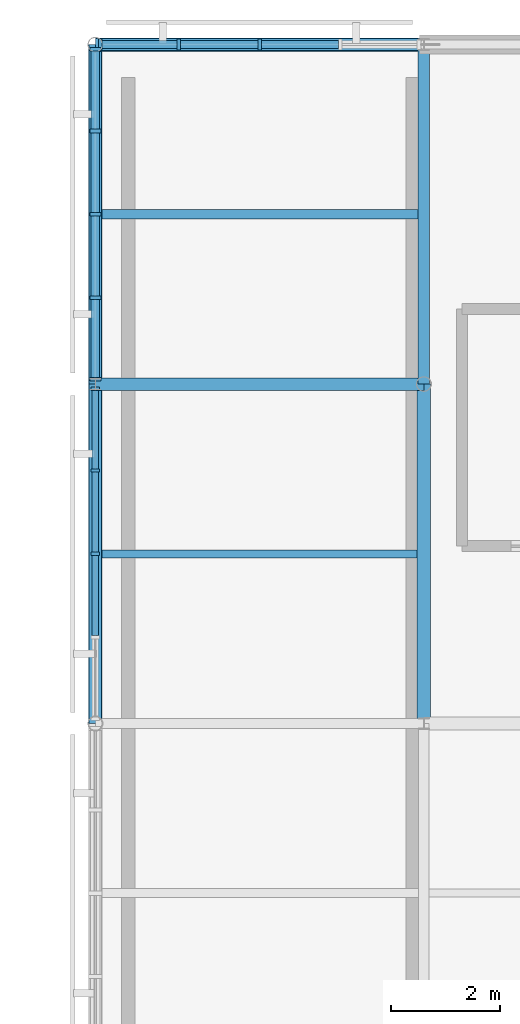
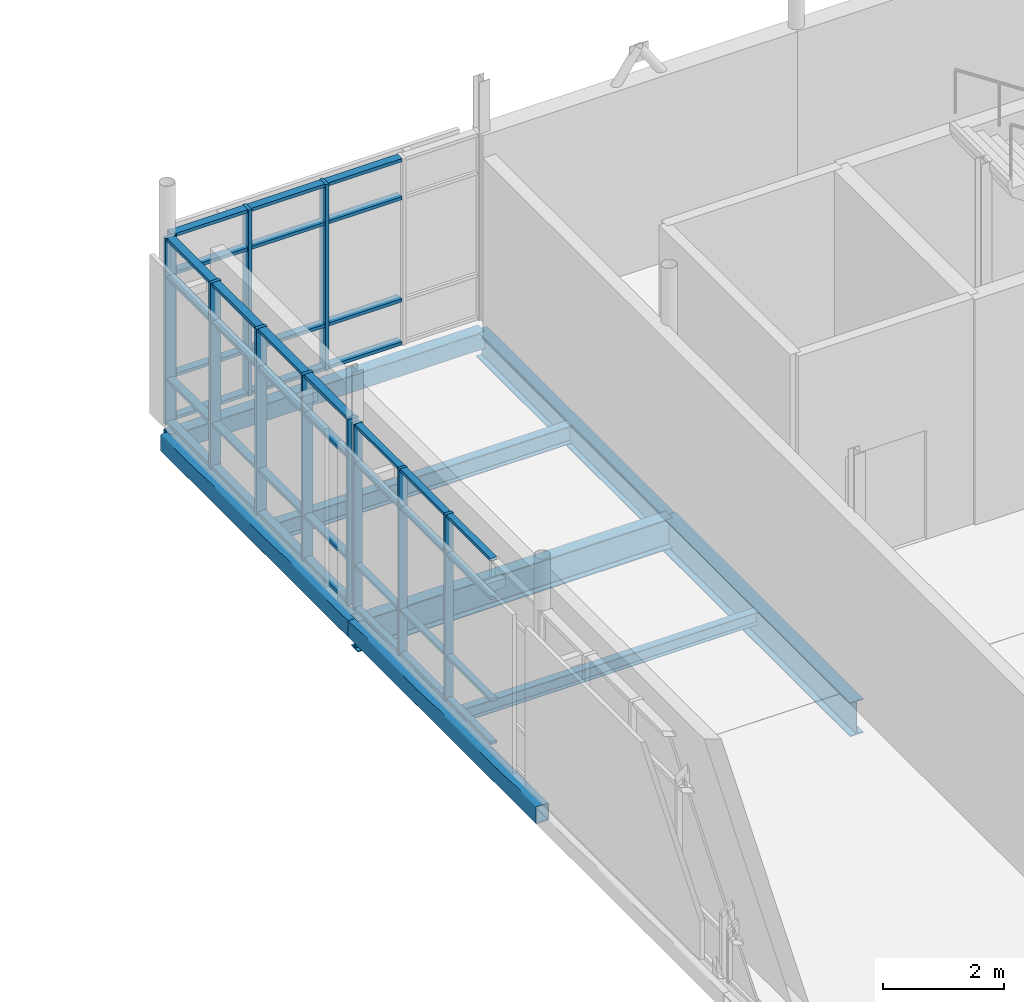
# One storey, part 33 of 48: 51 members, 8 beams, 3 elements without a shape of their own.
"""IFC4 building model written with IfcOpenShell, lengths in metres."""

from ifc_helpers import new_model, si_unit, direction, frame, origin, origin_2d, place, context, subcontext, project, spatial, rectangle, hollow_rectangle, i_section, extrude, material, layer, layer_set, material_profile, profile_set, type_object, element, aggregate, save


model = new_model("IFC4")

# Units and contexts
model_context = context("Model", 3, precision=1e-05, world=origin(), true_north=direction((0.0, 1.0)))
body_context = subcontext(model_context, "Body", "Model", "MODEL_VIEW")
ifc_project = project(units=[si_unit("LENGTHUNIT", "METRE"), si_unit("AREAUNIT", "SQUARE_METRE"), si_unit("VOLUMEUNIT", "CUBIC_METRE"), si_unit("PLANEANGLEUNIT", "RADIAN"), si_unit("MASSUNIT", "GRAM", prefix="KILO")], contexts=[model_context])

# Site, building, storey
site_placement = place(None, origin())
site = spatial("IfcSite", under=ifc_project, at=site_placement, CompositionType="ELEMENT")
building_placement = place(site_placement, origin())
building = spatial("IfcBuilding", under=site, at=building_placement, Name="Mirzam Square Science Centre", CompositionType="ELEMENT")
storey_placement = place(building_placement, frame((0.0, 0.0, 20.39990234375)))
storey = spatial("IfcBuildingStorey", under=building, at=storey_placement, Name="L04", CompositionType="ELEMENT", Elevation=20.39990234375)

# Beams
ifc_material_1 = material(Name="Steel S355", Category="steel")
ifc_material_profile_1 = material_profile(ifc_material_1, i_section(OverallWidth=0.2099609375, OverallDepth=0.53662109375, WebThickness=0.0107421875, FlangeThickness=0.017333984375, FilletRadius=0.0126953125, at=origin_2d()), Name="533x210x101UB")
ifc_profile_set_1 = profile_set([ifc_material_profile_1], Name="Steel S355")
beam_type_1 = type_object("IfcBeamType", Name="BM-UB533", PredefinedType="BEAM", material=ifc_profile_set_1)
beam_1_placement = place(storey_placement, frame((120.0, 105.39990234375, -0.518310546875), z_axis=(0.0, 1.0, 0.0), x_axis=(-1.0, 0.0, 0.0)))
element("IfcBeam", 1, at=beam_1_placement, inside=storey, type_object=beam_type_1, Name="L04 girder Y21-18", PredefinedType="BEAM", context=body_context, shape_type="SweptSolid", body=[
    extrude(i_section(OverallWidth=0.2099609375, OverallDepth=0.53662109375, WebThickness=0.0107421875, FlangeThickness=0.017333984375, FilletRadius=0.0126953125, at=origin_2d()), origin(), (0.0, 0.0, 1.0), 6.2001953125),
])
ifc_material_profile_2 = material_profile(ifc_material_1, i_section(OverallWidth=0.22900390625, OverallDepth=0.6123046875, WebThickness=0.011962890625, FlangeThickness=0.01953125, FilletRadius=0.0126953125, at=origin_2d()), Name="610x229x125UB")
ifc_profile_set_2 = profile_set([ifc_material_profile_2], Name="Steel S355")
beam_type_2 = type_object("IfcBeamType", Name="BM-UB610", PredefinedType="BEAM", material=ifc_profile_set_2)
beam_2_placement = place(storey_placement, frame((114.0, 105.39990234375, -0.555908203125), z_axis=(1.0, 0.0, 0.0), x_axis=(0.0, 1.0, 0.0)))
element("IfcBeam", 2, at=beam_2_placement, inside=storey, type_object=beam_type_2, Name="L04 girder X20-18", PredefinedType="BEAM", context=body_context, shape_type="SweptSolid", body=[
    extrude(i_section(OverallWidth=0.22900390625, OverallDepth=0.6123046875, WebThickness=0.011962890625, FlangeThickness=0.01953125, FilletRadius=0.0126953125, at=origin_2d()), origin(), (0.0, 0.0, 1.0), 6.0),
])
ifc_material_profile_3 = material_profile(ifc_material_1, i_section(OverallWidth=0.25439453125, OverallDepth=0.6875, WebThickness=0.01318359375, FlangeThickness=0.02099609375, FilletRadius=0.01513671875, at=origin_2d()), Name="686x254x152UB")
ifc_profile_set_3 = profile_set([ifc_material_profile_3], Name="Steel S355")
beam_type_3 = type_object("IfcBeamType", Name="BM-UB686", PredefinedType="BEAM", material=ifc_profile_set_3)
beam_3_placement = place(storey_placement, frame((120.0, 99.199951171875, -0.59375), z_axis=(0.0, 1.0, 0.0), x_axis=(-1.0, 0.0, 0.0)))
element("IfcBeam", 3, at=beam_3_placement, inside=storey, type_object=beam_type_3, Name="L04 girder Y21-17", PredefinedType="BEAM", context=body_context, shape_type="SweptSolid", body=[
    extrude(i_section(OverallWidth=0.25439453125, OverallDepth=0.6875, WebThickness=0.01318359375, FlangeThickness=0.02099609375, FilletRadius=0.01513671875, at=origin_2d()), origin(), (0.0, 0.0, 1.0), 6.199951171875),
])

# Curtain wall, members
ifc_material_2 = material(Name="Anodised Aluminium and Low-E Solar Glass", Category="aluminium")
ifc_layer_1 = layer(ifc_material_2, 0.159912109375)
ifc_layer_set_1 = layer_set([ifc_layer_1], Name="CW-COURT-B")
curtain_wall_type_1 = type_object("IfcCurtainWallType", Name="CW-COURT-B", PredefinedType="USERDEFINED", material=ifc_layer_set_1)
curtain_wall_1_placement = place(storey_placement, origin())
curtain_wall_1 = element("IfcCurtainWall", 4, at=curtain_wall_1_placement, inside=storey, type_object=curtain_wall_type_1, Name="L04 unitised curtain wall 162", ObjectType="UNITISED CURTAIN WALL", PredefinedType="USERDEFINED")
ifc_material_3 = material(Name="Anodised Architectural Aluminium 6063-T6", Category="aluminium")
ifc_material_profile_4 = material_profile(ifc_material_3, rectangle(XDim=0.06005859375, YDim=0.159912109375, at=origin_2d()), Name="ALU-MULL-160x60x4")
ifc_profile_set_4 = profile_set([ifc_material_profile_4], Name="Anodised Architectural Aluminium 6063-T6")
member_type_1 = type_object("IfcMemberType", Name="CWM-160", PredefinedType="MULLION", material=ifc_profile_set_4)
member_1_placement = place(storey_placement, frame((114.0, 105.31494140625, 0.0), z_axis=(0.0, 0.0, 1.0), x_axis=(0.0, -1.0, 0.0)))
member_1 = element("IfcMember", 5, at=member_1_placement, type_object=member_type_1, Name="CW-04 mullion 1", PredefinedType="MULLION", context=body_context, shape_type="SweptSolid", body=[
    extrude(rectangle(XDim=0.06005859375, YDim=0.159912109375, at=origin_2d()), origin(), (0.0, 0.0, 1.0), 3.760009765625),
])
member_2_placement = place(storey_placement, frame((114.0, 103.822509765625, 0.0), z_axis=(0.0, 0.0, 1.0), x_axis=(0.0, -1.0, 0.0)))
member_2 = element("IfcMember", 6, at=member_2_placement, type_object=member_type_1, Name="CW-04 mullion 2", PredefinedType="MULLION", context=body_context, shape_type="SweptSolid", body=[
    extrude(rectangle(XDim=0.06005859375, YDim=0.159912109375, at=origin_2d()), origin(), (0.0, 0.0, 1.0), 3.760009765625),
])
member_3_placement = place(storey_placement, frame((114.0, 102.300048828125, 0.0), z_axis=(0.0, 0.0, 1.0), x_axis=(0.0, -1.0, 0.0)))
member_3 = element("IfcMember", 7, at=member_3_placement, type_object=member_type_1, Name="CW-04 mullion 3", PredefinedType="MULLION", context=body_context, shape_type="SweptSolid", body=[
    extrude(rectangle(XDim=0.06005859375, YDim=0.159912109375, at=origin_2d()), origin(), (0.0, 0.0, 1.0), 3.760009765625),
])

curtain_wall_2_placement = place(storey_placement, origin())
curtain_wall_2 = element("IfcCurtainWall", 8, at=curtain_wall_2_placement, inside=storey, type_object=curtain_wall_type_1, Name="L04 unitised curtain wall 156", ObjectType="UNITISED CURTAIN WALL", PredefinedType="USERDEFINED")
ifc_material_profile_5 = material_profile(ifc_material_3, rectangle(XDim=0.06494140625, YDim=0.199951171875, at=origin_2d()), Name="ALU-MULL-200x65x5")
ifc_profile_set_5 = profile_set([ifc_material_profile_5], Name="Anodised Architectural Aluminium 6063-T6")
member_type_2 = type_object("IfcMemberType", Name="CWM-200", PredefinedType="MULLION", material=ifc_profile_set_5)
member_4_placement = place(storey_placement, frame((117.0, 111.60009765625, 0.0), z_axis=(0.0, 0.0, 1.0), x_axis=(-1.0, 0.0, 0.0)))
member_4 = element("IfcMember", 9, at=member_4_placement, type_object=member_type_2, Name="CW-04 mullion 3", PredefinedType="MULLION", context=body_context, shape_type="SweptSolid", body=[
    extrude(rectangle(XDim=0.06494140625, YDim=0.199951171875, at=origin_2d()), origin(), (0.0, 0.0, 1.0), 3.760009765625),
])
member_5_placement = place(storey_placement, frame((115.527587890625, 111.60009765625, 0.0), z_axis=(0.0, 0.0, 1.0), x_axis=(-1.0, 0.0, 0.0)))
member_5 = element("IfcMember", 10, at=member_5_placement, type_object=member_type_2, Name="CW-04 mullion 4", PredefinedType="MULLION", context=body_context, shape_type="SweptSolid", body=[
    extrude(rectangle(XDim=0.06494140625, YDim=0.199951171875, at=origin_2d()), origin(), (0.0, 0.0, 1.0), 3.760009765625),
])
member_6_placement = place(storey_placement, frame((114.08740234375, 111.60009765625, 0.0), z_axis=(0.0, 0.0, 1.0), x_axis=(-1.0, 0.0, 0.0)))
member_6 = element("IfcMember", 11, at=member_6_placement, type_object=member_type_2, Name="CW-04 mullion 5", PredefinedType="MULLION", context=body_context, shape_type="SweptSolid", body=[
    extrude(rectangle(XDim=0.06494140625, YDim=0.199951171875, at=origin_2d()), origin(), (0.0, 0.0, 1.0), 3.760009765625),
])

ifc_layer_2 = layer(ifc_material_2, 0.199951171875)
ifc_layer_set_2 = layer_set([ifc_layer_2], Name="CW-EAST-A")
curtain_wall_type_2 = type_object("IfcCurtainWallType", Name="CW-EAST-A", PredefinedType="USERDEFINED", material=ifc_layer_set_2)
curtain_wall_3_placement = place(storey_placement, origin())
curtain_wall_3 = element("IfcCurtainWall", 12, at=curtain_wall_3_placement, inside=storey, type_object=curtain_wall_type_2, Name="L04 unitised curtain wall 164", ObjectType="UNITISED CURTAIN WALL", PredefinedType="USERDEFINED")
member_7_placement = place(storey_placement, frame((114.0, 111.512451171875, 0.0), z_axis=(0.0, 0.0, 1.0), x_axis=(0.0, -1.0, 0.0)))
member_7 = element("IfcMember", 13, at=member_7_placement, type_object=member_type_2, Name="CW-05 mullion 1", PredefinedType="MULLION", context=body_context, shape_type="SweptSolid", body=[
    extrude(rectangle(XDim=0.06494140625, YDim=0.199951171875, at=origin_2d()), origin(), (0.0, 0.0, 1.0), 3.760009765625),
])
member_8_placement = place(storey_placement, frame((114.0, 110.0224609375, 0.0), z_axis=(0.0, 0.0, 1.0), x_axis=(0.0, -1.0, 0.0)))
member_8 = element("IfcMember", 14, at=member_8_placement, type_object=member_type_2, Name="CW-05 mullion 2", PredefinedType="MULLION", context=body_context, shape_type="SweptSolid", body=[
    extrude(rectangle(XDim=0.06494140625, YDim=0.199951171875, at=origin_2d()), origin(), (0.0, 0.0, 1.0), 3.760009765625),
])
member_9_placement = place(storey_placement, frame((114.0, 108.5, 0.0), z_axis=(0.0, 0.0, 1.0), x_axis=(0.0, -1.0, 0.0)))
member_9 = element("IfcMember", 15, at=member_9_placement, type_object=member_type_2, Name="CW-05 mullion 3", PredefinedType="MULLION", context=body_context, shape_type="SweptSolid", body=[
    extrude(rectangle(XDim=0.06494140625, YDim=0.199951171875, at=origin_2d()), origin(), (0.0, 0.0, 1.0), 3.760009765625),
])
member_10_placement = place(storey_placement, frame((114.0, 106.9775390625, 0.0), z_axis=(0.0, 0.0, 1.0), x_axis=(0.0, -1.0, 0.0)))
member_10 = element("IfcMember", 16, at=member_10_placement, type_object=member_type_2, Name="CW-05 mullion 4", PredefinedType="MULLION", context=body_context, shape_type="SweptSolid", body=[
    extrude(rectangle(XDim=0.06494140625, YDim=0.199951171875, at=origin_2d()), origin(), (0.0, 0.0, 1.0), 3.760009765625),
])
member_11_placement = place(storey_placement, frame((114.0, 105.487548828125, 0.0), z_axis=(0.0, 0.0, 1.0), x_axis=(0.0, -1.0, 0.0)))
member_11 = element("IfcMember", 17, at=member_11_placement, type_object=member_type_2, Name="CW-05 mullion 5", PredefinedType="MULLION", context=body_context, shape_type="SweptSolid", body=[
    extrude(rectangle(XDim=0.06494140625, YDim=0.199951171875, at=origin_2d()), origin(), (0.0, 0.0, 1.0), 3.760009765625),
])

# Member
ifc_material_profile_6 = material_profile(ifc_material_3, rectangle(XDim=0.1201171875, YDim=0.06005859375, at=origin_2d()), Name="ALU-TRAN-120x60x4")
ifc_profile_set_6 = profile_set([ifc_material_profile_6], Name="Anodised Architectural Aluminium 6063-T6")
member_type_3 = type_object("IfcMemberType", Name="CWT-120", PredefinedType="USERDEFINED", material=ifc_profile_set_6)
member_12_placement = place(storey_placement, frame((114.0, 105.284912109375, 0.030029296875), z_axis=(0.0, -1.0, 0.0), x_axis=(1.0, 0.0, 0.0)))
member_12 = element("IfcMember", 18, at=member_12_placement, type_object=member_type_3, Name="CW-04 transom 1.1", ObjectType="TRANSOM", PredefinedType="USERDEFINED", context=body_context, shape_type="SweptSolid", body=[
    extrude(rectangle(XDim=0.1201171875, YDim=0.06005859375, at=origin_2d()), origin(), (0.0, 0.0, 1.0), 1.432373046875),
])

member_13_placement = place(storey_placement, frame((114.0, 105.284912109375, 0.900146484375), z_axis=(0.0, -1.0, 0.0), x_axis=(1.0, 0.0, 0.0)))
member_13 = element("IfcMember", 19, at=member_13_placement, type_object=member_type_3, Name="CW-04 transom 1.2", ObjectType="TRANSOM", PredefinedType="USERDEFINED", context=body_context, shape_type="SweptSolid", body=[
    extrude(rectangle(XDim=0.1201171875, YDim=0.06005859375, at=origin_2d()), origin(), (0.0, 0.0, 1.0), 1.432373046875),
])

member_14_placement = place(storey_placement, frame((114.0, 105.284912109375, 2.960205078125), z_axis=(0.0, -1.0, 0.0), x_axis=(1.0, 0.0, 0.0)))
member_14 = element("IfcMember", 20, at=member_14_placement, type_object=member_type_3, Name="CW-04 transom 1.3", ObjectType="TRANSOM", PredefinedType="USERDEFINED", context=body_context, shape_type="SweptSolid", body=[
    extrude(rectangle(XDim=0.1201171875, YDim=0.06005859375, at=origin_2d()), origin(), (0.0, 0.0, 1.0), 1.432373046875),
])

member_15_placement = place(storey_placement, frame((114.0, 105.284912109375, 3.72998046875), z_axis=(0.0, -1.0, 0.0), x_axis=(1.0, 0.0, 0.0)))
member_15 = element("IfcMember", 21, at=member_15_placement, type_object=member_type_3, Name="CW-04 transom 1.4", ObjectType="TRANSOM", PredefinedType="USERDEFINED", context=body_context, shape_type="SweptSolid", body=[
    extrude(rectangle(XDim=0.1201171875, YDim=0.06005859375, at=origin_2d()), origin(), (0.0, 0.0, 1.0), 1.432373046875),
])

member_16_placement = place(storey_placement, frame((114.0, 103.79248046875, 0.030029296875), z_axis=(0.0, -1.0, 0.0), x_axis=(1.0, 0.0, 0.0)))
member_16 = element("IfcMember", 22, at=member_16_placement, type_object=member_type_3, Name="CW-04 transom 2.1", ObjectType="TRANSOM", PredefinedType="USERDEFINED", context=body_context, shape_type="SweptSolid", body=[
    extrude(rectangle(XDim=0.1201171875, YDim=0.06005859375, at=origin_2d()), origin(), (0.0, 0.0, 1.0), 1.46240234375),
])

member_17_placement = place(storey_placement, frame((114.0, 103.79248046875, 0.900146484375), z_axis=(0.0, -1.0, 0.0), x_axis=(1.0, 0.0, 0.0)))
member_17 = element("IfcMember", 23, at=member_17_placement, type_object=member_type_3, Name="CW-04 transom 2.2", ObjectType="TRANSOM", PredefinedType="USERDEFINED", context=body_context, shape_type="SweptSolid", body=[
    extrude(rectangle(XDim=0.1201171875, YDim=0.06005859375, at=origin_2d()), origin(), (0.0, 0.0, 1.0), 1.46240234375),
])

member_18_placement = place(storey_placement, frame((114.0, 103.79248046875, 2.960205078125), z_axis=(0.0, -1.0, 0.0), x_axis=(1.0, 0.0, 0.0)))
member_18 = element("IfcMember", 24, at=member_18_placement, type_object=member_type_3, Name="CW-04 transom 2.3", ObjectType="TRANSOM", PredefinedType="USERDEFINED", context=body_context, shape_type="SweptSolid", body=[
    extrude(rectangle(XDim=0.1201171875, YDim=0.06005859375, at=origin_2d()), origin(), (0.0, 0.0, 1.0), 1.46240234375),
])

member_19_placement = place(storey_placement, frame((114.0, 103.79248046875, 3.72998046875), z_axis=(0.0, -1.0, 0.0), x_axis=(1.0, 0.0, 0.0)))
member_19 = element("IfcMember", 25, at=member_19_placement, type_object=member_type_3, Name="CW-04 transom 2.4", ObjectType="TRANSOM", PredefinedType="USERDEFINED", context=body_context, shape_type="SweptSolid", body=[
    extrude(rectangle(XDim=0.1201171875, YDim=0.06005859375, at=origin_2d()), origin(), (0.0, 0.0, 1.0), 1.46240234375),
])

member_20_placement = place(storey_placement, frame((114.0, 102.27001953125, 0.030029296875), z_axis=(0.0, -1.0, 0.0), x_axis=(1.0, 0.0, 0.0)))
member_20 = element("IfcMember", 26, at=member_20_placement, type_object=member_type_3, Name="CW-04 transom 3.1", ObjectType="TRANSOM", PredefinedType="USERDEFINED", context=body_context, shape_type="SweptSolid", body=[
    extrude(rectangle(XDim=0.1201171875, YDim=0.06005859375, at=origin_2d()), origin(), (0.0, 0.0, 1.0), 1.46240234375),
])

member_21_placement = place(storey_placement, frame((114.0, 102.27001953125, 0.900146484375), z_axis=(0.0, -1.0, 0.0), x_axis=(1.0, 0.0, 0.0)))
member_21 = element("IfcMember", 27, at=member_21_placement, type_object=member_type_3, Name="CW-04 transom 3.2", ObjectType="TRANSOM", PredefinedType="USERDEFINED", context=body_context, shape_type="SweptSolid", body=[
    extrude(rectangle(XDim=0.1201171875, YDim=0.06005859375, at=origin_2d()), origin(), (0.0, 0.0, 1.0), 1.46240234375),
])

member_22_placement = place(storey_placement, frame((114.0, 102.27001953125, 2.960205078125), z_axis=(0.0, -1.0, 0.0), x_axis=(1.0, 0.0, 0.0)))
member_22 = element("IfcMember", 28, at=member_22_placement, type_object=member_type_3, Name="CW-04 transom 3.3", ObjectType="TRANSOM", PredefinedType="USERDEFINED", context=body_context, shape_type="SweptSolid", body=[
    extrude(rectangle(XDim=0.1201171875, YDim=0.06005859375, at=origin_2d()), origin(), (0.0, 0.0, 1.0), 1.46240234375),
])

member_23_placement = place(storey_placement, frame((114.0, 102.27001953125, 3.72998046875), z_axis=(0.0, -1.0, 0.0), x_axis=(1.0, 0.0, 0.0)))
member_23 = element("IfcMember", 29, at=member_23_placement, type_object=member_type_3, Name="CW-04 transom 3.4", ObjectType="TRANSOM", PredefinedType="USERDEFINED", context=body_context, shape_type="SweptSolid", body=[
    extrude(rectangle(XDim=0.1201171875, YDim=0.06005859375, at=origin_2d()), origin(), (0.0, 0.0, 1.0), 1.46240234375),
])

aggregate(curtain_wall_1, [member_1, member_2, member_3, member_12, member_13, member_14, member_15, member_16, member_17, member_18, member_19, member_20, member_21, member_22, member_23])

ifc_material_profile_7 = material_profile(ifc_material_3, rectangle(XDim=0.14990234375, YDim=0.06494140625, at=origin_2d()), Name="ALU-TRAN-150x65x4")
ifc_profile_set_7 = profile_set([ifc_material_profile_7], Name="Anodised Architectural Aluminium 6063-T6")
member_type_4 = type_object("IfcMemberType", Name="CWT-150", PredefinedType="USERDEFINED", material=ifc_profile_set_7)
member_24_placement = place(storey_placement, frame((118.43994140625, 111.60009765625, 0.03271484375), z_axis=(-1.0, 0.0, 0.0), x_axis=(0.0, -1.0, 0.0)))
member_24 = element("IfcMember", 30, at=member_24_placement, type_object=member_type_4, Name="CW-04 transom 2.1", ObjectType="TRANSOM", PredefinedType="USERDEFINED", context=body_context, shape_type="SweptSolid", body=[
    extrude(rectangle(XDim=0.14990234375, YDim=0.06494140625, at=origin_2d()), origin(), (0.0, 0.0, 1.0), 1.407470703125),
])

member_25_placement = place(storey_placement, frame((118.43994140625, 111.60009765625, 0.900146484375), z_axis=(-1.0, 0.0, 0.0), x_axis=(0.0, -1.0, 0.0)))
member_25 = element("IfcMember", 31, at=member_25_placement, type_object=member_type_4, Name="CW-04 transom 2.2", ObjectType="TRANSOM", PredefinedType="USERDEFINED", context=body_context, shape_type="SweptSolid", body=[
    extrude(rectangle(XDim=0.14990234375, YDim=0.06494140625, at=origin_2d()), origin(), (0.0, 0.0, 1.0), 1.407470703125),
])

member_26_placement = place(storey_placement, frame((118.43994140625, 111.60009765625, 2.960205078125), z_axis=(-1.0, 0.0, 0.0), x_axis=(0.0, -1.0, 0.0)))
member_26 = element("IfcMember", 32, at=member_26_placement, type_object=member_type_4, Name="CW-04 transom 2.3", ObjectType="TRANSOM", PredefinedType="USERDEFINED", context=body_context, shape_type="SweptSolid", body=[
    extrude(rectangle(XDim=0.14990234375, YDim=0.06494140625, at=origin_2d()), origin(), (0.0, 0.0, 1.0), 1.407470703125),
])

member_27_placement = place(storey_placement, frame((118.43994140625, 111.60009765625, 3.7275390625), z_axis=(-1.0, 0.0, 0.0), x_axis=(0.0, -1.0, 0.0)))
member_27 = element("IfcMember", 33, at=member_27_placement, type_object=member_type_4, Name="CW-04 transom 2.4", ObjectType="TRANSOM", PredefinedType="USERDEFINED", context=body_context, shape_type="SweptSolid", body=[
    extrude(rectangle(XDim=0.14990234375, YDim=0.06494140625, at=origin_2d()), origin(), (0.0, 0.0, 1.0), 1.407470703125),
])

member_28_placement = place(storey_placement, frame((116.967529296875, 111.60009765625, 0.03271484375), z_axis=(-1.0, 0.0, 0.0), x_axis=(0.0, -1.0, 0.0)))
member_28 = element("IfcMember", 34, at=member_28_placement, type_object=member_type_4, Name="CW-04 transom 3.1", ObjectType="TRANSOM", PredefinedType="USERDEFINED", context=body_context, shape_type="SweptSolid", body=[
    extrude(rectangle(XDim=0.14990234375, YDim=0.06494140625, at=origin_2d()), origin(), (0.0, 0.0, 1.0), 1.407470703125),
])

member_29_placement = place(storey_placement, frame((116.967529296875, 111.60009765625, 0.900146484375), z_axis=(-1.0, 0.0, 0.0), x_axis=(0.0, -1.0, 0.0)))
member_29 = element("IfcMember", 35, at=member_29_placement, type_object=member_type_4, Name="CW-04 transom 3.2", ObjectType="TRANSOM", PredefinedType="USERDEFINED", context=body_context, shape_type="SweptSolid", body=[
    extrude(rectangle(XDim=0.14990234375, YDim=0.06494140625, at=origin_2d()), origin(), (0.0, 0.0, 1.0), 1.407470703125),
])

member_30_placement = place(storey_placement, frame((116.967529296875, 111.60009765625, 2.960205078125), z_axis=(-1.0, 0.0, 0.0), x_axis=(0.0, -1.0, 0.0)))
member_30 = element("IfcMember", 36, at=member_30_placement, type_object=member_type_4, Name="CW-04 transom 3.3", ObjectType="TRANSOM", PredefinedType="USERDEFINED", context=body_context, shape_type="SweptSolid", body=[
    extrude(rectangle(XDim=0.14990234375, YDim=0.06494140625, at=origin_2d()), origin(), (0.0, 0.0, 1.0), 1.407470703125),
])

member_31_placement = place(storey_placement, frame((116.967529296875, 111.60009765625, 3.7275390625), z_axis=(-1.0, 0.0, 0.0), x_axis=(0.0, -1.0, 0.0)))
member_31 = element("IfcMember", 37, at=member_31_placement, type_object=member_type_4, Name="CW-04 transom 3.4", ObjectType="TRANSOM", PredefinedType="USERDEFINED", context=body_context, shape_type="SweptSolid", body=[
    extrude(rectangle(XDim=0.14990234375, YDim=0.06494140625, at=origin_2d()), origin(), (0.0, 0.0, 1.0), 1.407470703125),
])

member_32_placement = place(storey_placement, frame((115.4951171875, 111.60009765625, 0.03271484375), z_axis=(-1.0, 0.0, 0.0), x_axis=(0.0, -1.0, 0.0)))
member_32 = element("IfcMember", 38, at=member_32_placement, type_object=member_type_4, Name="CW-04 transom 4.1", ObjectType="TRANSOM", PredefinedType="USERDEFINED", context=body_context, shape_type="SweptSolid", body=[
    extrude(rectangle(XDim=0.14990234375, YDim=0.06494140625, at=origin_2d()), origin(), (0.0, 0.0, 1.0), 1.375),
])

member_33_placement = place(storey_placement, frame((115.4951171875, 111.60009765625, 0.900146484375), z_axis=(-1.0, 0.0, 0.0), x_axis=(0.0, -1.0, 0.0)))
member_33 = element("IfcMember", 39, at=member_33_placement, type_object=member_type_4, Name="CW-04 transom 4.2", ObjectType="TRANSOM", PredefinedType="USERDEFINED", context=body_context, shape_type="SweptSolid", body=[
    extrude(rectangle(XDim=0.14990234375, YDim=0.06494140625, at=origin_2d()), origin(), (0.0, 0.0, 1.0), 1.375),
])

member_34_placement = place(storey_placement, frame((115.4951171875, 111.60009765625, 2.960205078125), z_axis=(-1.0, 0.0, 0.0), x_axis=(0.0, -1.0, 0.0)))
member_34 = element("IfcMember", 40, at=member_34_placement, type_object=member_type_4, Name="CW-04 transom 4.3", ObjectType="TRANSOM", PredefinedType="USERDEFINED", context=body_context, shape_type="SweptSolid", body=[
    extrude(rectangle(XDim=0.14990234375, YDim=0.06494140625, at=origin_2d()), origin(), (0.0, 0.0, 1.0), 1.375),
])

member_35_placement = place(storey_placement, frame((115.4951171875, 111.60009765625, 3.7275390625), z_axis=(-1.0, 0.0, 0.0), x_axis=(0.0, -1.0, 0.0)))
member_35 = element("IfcMember", 41, at=member_35_placement, type_object=member_type_4, Name="CW-04 transom 4.4", ObjectType="TRANSOM", PredefinedType="USERDEFINED", context=body_context, shape_type="SweptSolid", body=[
    extrude(rectangle(XDim=0.14990234375, YDim=0.06494140625, at=origin_2d()), origin(), (0.0, 0.0, 1.0), 1.375),
])

aggregate(curtain_wall_2, [member_4, member_5, member_6, member_24, member_25, member_26, member_27, member_28, member_29, member_30, member_31, member_32, member_33, member_34, member_35])

member_36_placement = place(storey_placement, frame((114.0, 111.47998046875, 0.03271484375), z_axis=(0.0, -1.0, 0.0), x_axis=(1.0, 0.0, 0.0)))
member_36 = element("IfcMember", 42, at=member_36_placement, type_object=member_type_4, Name="CW-05 transom 1.1", ObjectType="TRANSOM", PredefinedType="USERDEFINED", context=body_context, shape_type="SweptSolid", body=[
    extrude(rectangle(XDim=0.14990234375, YDim=0.06494140625, at=origin_2d()), origin(), (0.0, 0.0, 1.0), 1.425048828125),
])

member_37_placement = place(storey_placement, frame((114.0, 111.47998046875, 0.900146484375), z_axis=(0.0, -1.0, 0.0), x_axis=(1.0, 0.0, 0.0)))
member_37 = element("IfcMember", 43, at=member_37_placement, type_object=member_type_4, Name="CW-05 transom 1.2", ObjectType="TRANSOM", PredefinedType="USERDEFINED", context=body_context, shape_type="SweptSolid", body=[
    extrude(rectangle(XDim=0.14990234375, YDim=0.06494140625, at=origin_2d()), origin(), (0.0, 0.0, 1.0), 1.425048828125),
])

member_38_placement = place(storey_placement, frame((114.0, 111.47998046875, 2.960205078125), z_axis=(0.0, -1.0, 0.0), x_axis=(1.0, 0.0, 0.0)))
member_38 = element("IfcMember", 44, at=member_38_placement, type_object=member_type_4, Name="CW-05 transom 1.3", ObjectType="TRANSOM", PredefinedType="USERDEFINED", context=body_context, shape_type="SweptSolid", body=[
    extrude(rectangle(XDim=0.14990234375, YDim=0.06494140625, at=origin_2d()), origin(), (0.0, 0.0, 1.0), 1.425048828125),
])

member_39_placement = place(storey_placement, frame((114.0, 111.47998046875, 3.7275390625), z_axis=(0.0, -1.0, 0.0), x_axis=(1.0, 0.0, 0.0)))
member_39 = element("IfcMember", 45, at=member_39_placement, type_object=member_type_4, Name="CW-05 transom 1.4", ObjectType="TRANSOM", PredefinedType="USERDEFINED", context=body_context, shape_type="SweptSolid", body=[
    extrude(rectangle(XDim=0.14990234375, YDim=0.06494140625, at=origin_2d()), origin(), (0.0, 0.0, 1.0), 1.425048828125),
])

member_40_placement = place(storey_placement, frame((114.0, 109.989990234375, 0.03271484375), z_axis=(0.0, -1.0, 0.0), x_axis=(1.0, 0.0, 0.0)))
member_40 = element("IfcMember", 46, at=member_40_placement, type_object=member_type_4, Name="CW-05 transom 2.1", ObjectType="TRANSOM", PredefinedType="USERDEFINED", context=body_context, shape_type="SweptSolid", body=[
    extrude(rectangle(XDim=0.14990234375, YDim=0.06494140625, at=origin_2d()), origin(), (0.0, 0.0, 1.0), 1.45751953125),
])

member_41_placement = place(storey_placement, frame((114.0, 109.989990234375, 0.900146484375), z_axis=(0.0, -1.0, 0.0), x_axis=(1.0, 0.0, 0.0)))
member_41 = element("IfcMember", 47, at=member_41_placement, type_object=member_type_4, Name="CW-05 transom 2.2", ObjectType="TRANSOM", PredefinedType="USERDEFINED", context=body_context, shape_type="SweptSolid", body=[
    extrude(rectangle(XDim=0.14990234375, YDim=0.06494140625, at=origin_2d()), origin(), (0.0, 0.0, 1.0), 1.45751953125),
])

member_42_placement = place(storey_placement, frame((114.0, 109.989990234375, 2.960205078125), z_axis=(0.0, -1.0, 0.0), x_axis=(1.0, 0.0, 0.0)))
member_42 = element("IfcMember", 48, at=member_42_placement, type_object=member_type_4, Name="CW-05 transom 2.3", ObjectType="TRANSOM", PredefinedType="USERDEFINED", context=body_context, shape_type="SweptSolid", body=[
    extrude(rectangle(XDim=0.14990234375, YDim=0.06494140625, at=origin_2d()), origin(), (0.0, 0.0, 1.0), 1.45751953125),
])

member_43_placement = place(storey_placement, frame((114.0, 109.989990234375, 3.7275390625), z_axis=(0.0, -1.0, 0.0), x_axis=(1.0, 0.0, 0.0)))
member_43 = element("IfcMember", 49, at=member_43_placement, type_object=member_type_4, Name="CW-05 transom 2.4", ObjectType="TRANSOM", PredefinedType="USERDEFINED", context=body_context, shape_type="SweptSolid", body=[
    extrude(rectangle(XDim=0.14990234375, YDim=0.06494140625, at=origin_2d()), origin(), (0.0, 0.0, 1.0), 1.45751953125),
])

member_44_placement = place(storey_placement, frame((114.0, 108.467529296875, 0.03271484375), z_axis=(0.0, -1.0, 0.0), x_axis=(1.0, 0.0, 0.0)))
member_44 = element("IfcMember", 50, at=member_44_placement, type_object=member_type_4, Name="CW-05 transom 3.1", ObjectType="TRANSOM", PredefinedType="USERDEFINED", context=body_context, shape_type="SweptSolid", body=[
    extrude(rectangle(XDim=0.14990234375, YDim=0.06494140625, at=origin_2d()), origin(), (0.0, 0.0, 1.0), 1.45751953125),
])

member_45_placement = place(storey_placement, frame((114.0, 108.467529296875, 0.900146484375), z_axis=(0.0, -1.0, 0.0), x_axis=(1.0, 0.0, 0.0)))
member_45 = element("IfcMember", 51, at=member_45_placement, type_object=member_type_4, Name="CW-05 transom 3.2", ObjectType="TRANSOM", PredefinedType="USERDEFINED", context=body_context, shape_type="SweptSolid", body=[
    extrude(rectangle(XDim=0.14990234375, YDim=0.06494140625, at=origin_2d()), origin(), (0.0, 0.0, 1.0), 1.45751953125),
])

member_46_placement = place(storey_placement, frame((114.0, 108.467529296875, 2.960205078125), z_axis=(0.0, -1.0, 0.0), x_axis=(1.0, 0.0, 0.0)))
member_46 = element("IfcMember", 52, at=member_46_placement, type_object=member_type_4, Name="CW-05 transom 3.3", ObjectType="TRANSOM", PredefinedType="USERDEFINED", context=body_context, shape_type="SweptSolid", body=[
    extrude(rectangle(XDim=0.14990234375, YDim=0.06494140625, at=origin_2d()), origin(), (0.0, 0.0, 1.0), 1.45751953125),
])

member_47_placement = place(storey_placement, frame((114.0, 108.467529296875, 3.7275390625), z_axis=(0.0, -1.0, 0.0), x_axis=(1.0, 0.0, 0.0)))
member_47 = element("IfcMember", 53, at=member_47_placement, type_object=member_type_4, Name="CW-05 transom 3.4", ObjectType="TRANSOM", PredefinedType="USERDEFINED", context=body_context, shape_type="SweptSolid", body=[
    extrude(rectangle(XDim=0.14990234375, YDim=0.06494140625, at=origin_2d()), origin(), (0.0, 0.0, 1.0), 1.45751953125),
])

member_48_placement = place(storey_placement, frame((114.0, 106.945068359375, 0.03271484375), z_axis=(0.0, -1.0, 0.0), x_axis=(1.0, 0.0, 0.0)))
member_48 = element("IfcMember", 54, at=member_48_placement, type_object=member_type_4, Name="CW-05 transom 4.1", ObjectType="TRANSOM", PredefinedType="USERDEFINED", context=body_context, shape_type="SweptSolid", body=[
    extrude(rectangle(XDim=0.14990234375, YDim=0.06494140625, at=origin_2d()), origin(), (0.0, 0.0, 1.0), 1.425048828125),
])

member_49_placement = place(storey_placement, frame((114.0, 106.945068359375, 0.900146484375), z_axis=(0.0, -1.0, 0.0), x_axis=(1.0, 0.0, 0.0)))
member_49 = element("IfcMember", 55, at=member_49_placement, type_object=member_type_4, Name="CW-05 transom 4.2", ObjectType="TRANSOM", PredefinedType="USERDEFINED", context=body_context, shape_type="SweptSolid", body=[
    extrude(rectangle(XDim=0.14990234375, YDim=0.06494140625, at=origin_2d()), origin(), (0.0, 0.0, 1.0), 1.425048828125),
])

member_50_placement = place(storey_placement, frame((114.0, 106.945068359375, 2.960205078125), z_axis=(0.0, -1.0, 0.0), x_axis=(1.0, 0.0, 0.0)))
member_50 = element("IfcMember", 56, at=member_50_placement, type_object=member_type_4, Name="CW-05 transom 4.3", ObjectType="TRANSOM", PredefinedType="USERDEFINED", context=body_context, shape_type="SweptSolid", body=[
    extrude(rectangle(XDim=0.14990234375, YDim=0.06494140625, at=origin_2d()), origin(), (0.0, 0.0, 1.0), 1.425048828125),
])

member_51_placement = place(storey_placement, frame((114.0, 106.945068359375, 3.7275390625), z_axis=(0.0, -1.0, 0.0), x_axis=(1.0, 0.0, 0.0)))
member_51 = element("IfcMember", 57, at=member_51_placement, type_object=member_type_4, Name="CW-05 transom 4.4", ObjectType="TRANSOM", PredefinedType="USERDEFINED", context=body_context, shape_type="SweptSolid", body=[
    extrude(rectangle(XDim=0.14990234375, YDim=0.06494140625, at=origin_2d()), origin(), (0.0, 0.0, 1.0), 1.425048828125),
])

aggregate(curtain_wall_3, [member_7, member_8, member_9, member_10, member_11, member_36, member_37, member_38, member_39, member_40, member_41, member_42, member_43, member_44, member_45, member_46, member_47, member_48, member_49, member_50, member_51])

# Beams
ifc_material_profile_8 = material_profile(ifc_material_1, i_section(OverallWidth=0.146484375, OverallDepth=0.256103515625, WebThickness=0.00634765625, FlangeThickness=0.010986328125, FilletRadius=0.007568359375, at=origin_2d()), Name="254x146x37UB")
ifc_profile_set_8 = profile_set([ifc_material_profile_8], Name="Steel S355")
beam_type_4 = type_object("IfcBeamType", Name="JS-UB254", PredefinedType="JOIST", material=ifc_profile_set_8)
beam_4_placement = place(storey_placement, frame((114.125, 102.300048828125, -0.3779296875), z_axis=(1.0, 0.0, 0.0), x_axis=(0.0, 1.0, 0.0)))
element("IfcBeam", 58, at=beam_4_placement, inside=storey, type_object=beam_type_4, Name="L04 composite joist 20-17", PredefinedType="JOIST", context=body_context, shape_type="SweptSolid", body=[
    extrude(i_section(OverallWidth=0.146484375, OverallDepth=0.256103515625, WebThickness=0.00634765625, FlangeThickness=0.010986328125, FilletRadius=0.007568359375, at=origin_2d()), origin(), (0.0, 0.0, 1.0), 5.747802734375),
])
ifc_material_profile_9 = material_profile(ifc_material_1, i_section(OverallWidth=0.172119140625, OverallDepth=0.35791015625, WebThickness=0.008056640625, FlangeThickness=0.012939453125, FilletRadius=0.01025390625, at=origin_2d()), Name="356x171x57UB")
ifc_profile_set_9 = profile_set([ifc_material_profile_9], Name="Steel S355")
beam_type_5 = type_object("IfcBeamType", Name="JS-UB356", PredefinedType="JOIST", material=ifc_profile_set_9)
beam_5_placement = place(storey_placement, frame((114.125, 108.5, -0.428955078125), z_axis=(1.0, 0.0, 0.0), x_axis=(0.0, 1.0, 0.0)))
element("IfcBeam", 59, at=beam_5_placement, inside=storey, type_object=beam_type_5, Name="L04 composite joist 20-18", PredefinedType="JOIST", context=body_context, shape_type="SweptSolid", body=[
    extrude(i_section(OverallWidth=0.172119140625, OverallDepth=0.35791015625, WebThickness=0.008056640625, FlangeThickness=0.012939453125, FilletRadius=0.01025390625, at=origin_2d()), origin(), (0.0, 0.0, 1.0), 5.77001953125),
])
ifc_material_profile_10 = material_profile(ifc_material_1, hollow_rectangle(XDim=0.25, YDim=0.35009765625, WallThickness=0.012451171875, InnerFilletRadius=0.012451171875, OuterFilletRadius=0.02490234375, at=origin_2d()), Name="350x250x12.5RHS")
ifc_profile_set_10 = profile_set([ifc_material_profile_10], Name="Steel S355")
beam_type_6 = type_object("IfcBeamType", Name="SP-RHS350", PredefinedType="SPANDREL", material=ifc_profile_set_10)
beam_6_placement = place(storey_placement, frame((114.0, 111.60009765625, -0.4248046875), z_axis=(1.0, 0.0, 0.0), x_axis=(0.0, 1.0, 0.0)))
element("IfcBeam", 60, at=beam_6_placement, inside=storey, type_object=beam_type_6, Name="L04 girder X20-19", PredefinedType="SPANDREL", context=body_context, shape_type="SweptSolid", body=[
    extrude(hollow_rectangle(XDim=0.25, YDim=0.35009765625, WallThickness=0.012451171875, InnerFilletRadius=0.012451171875, OuterFilletRadius=0.02490234375, at=origin_2d()), origin(), (0.0, 0.0, 1.0), 6.0),
])
beam_7_placement = place(storey_placement, frame((114.0, 99.199951171875, -0.4248046875), z_axis=(0.0, 1.0, 0.0), x_axis=(-1.0, 0.0, 0.0)))
element("IfcBeam", 61, at=beam_7_placement, inside=storey, type_object=beam_type_6, Name="L04 girder Y20-17", PredefinedType="SPANDREL", context=body_context, shape_type="SweptSolid", body=[
    extrude(hollow_rectangle(XDim=0.25, YDim=0.35009765625, WallThickness=0.012451171875, InnerFilletRadius=0.012451171875, OuterFilletRadius=0.02490234375, at=origin_2d()), origin(), (0.0, 0.0, 1.0), 6.199951171875),
])
beam_8_placement = place(storey_placement, frame((114.0, 105.39990234375, -0.4248046875), z_axis=(0.0, 1.0, 0.0), x_axis=(-1.0, 0.0, 0.0)))
element("IfcBeam", 62, at=beam_8_placement, inside=storey, type_object=beam_type_6, Name="L04 girder Y20-18", PredefinedType="SPANDREL", context=body_context, shape_type="SweptSolid", body=[
    extrude(hollow_rectangle(XDim=0.25, YDim=0.35009765625, WallThickness=0.012451171875, InnerFilletRadius=0.012451171875, OuterFilletRadius=0.02490234375, at=origin_2d()), origin(), (0.0, 0.0, 1.0), 6.2001953125),
])

save(model, "model.ifc")
